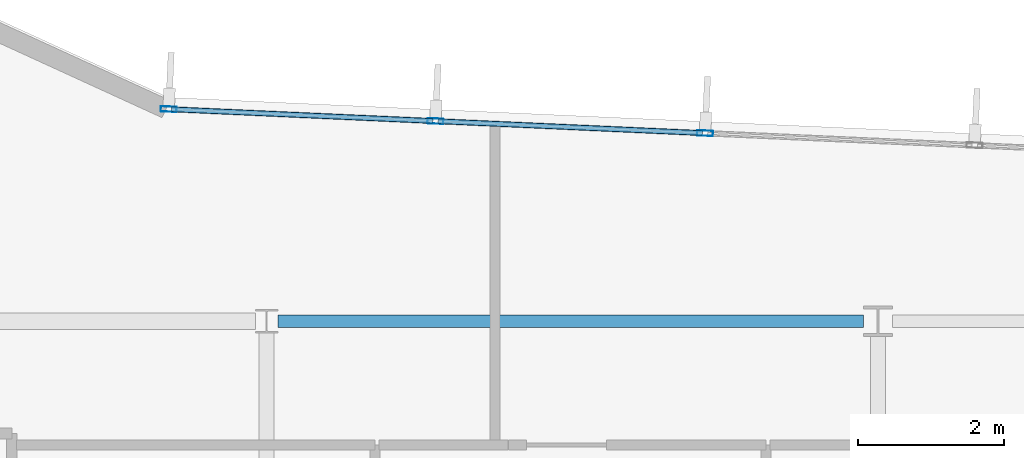
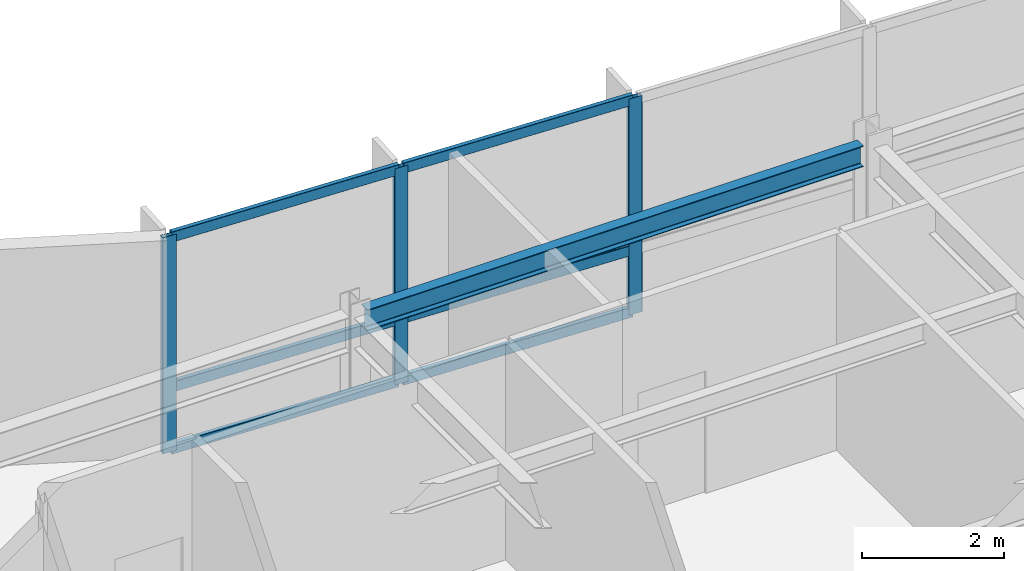
# One storey, part 4 of 17: 9 members, 1 beam, 1 element without a shape of its own.
"""IFC4 building model written with IfcOpenShell, lengths in metres."""

import ifcopenshell
import ifcopenshell.guid

model = None  # the IFC model being written
_history = None  # IfcOwnerHistory: only IFC2X3 demands one
_inside = {}  # id of a spatial element -> (the spatial element, [elements in it])
_under = {}  # id of a project, library or spatial element -> (it, [spatial elements below it])
_declared = {}  # id of a project -> (the project, [libraries it declares])
_typed = {}  # id of a type object -> (the type object, [elements of that type])
_made_of = {}  # id of a material, layer set ... -> (it, [elements and type objects made of it])


def new_model(schema):
    """Start an empty IFC model of exactly this schema.

    Asked for "IFC4X3", IfcOpenShell would pick the latest addendum, in which some entities
    have other attributes; the version numbers below select the first issue.
    IFC2X3 requires an IfcOwnerHistory on every rooted entity: one is made here for all.
    """
    global model, _history
    if schema == "IFC4X3":
        model = ifcopenshell.file(schema_version=(4, 3, 0, 0))
    else:
        model = ifcopenshell.file(schema=schema)
    _inside.clear()
    _under.clear()
    _declared.clear()
    _typed.clear()
    _made_of.clear()
    _history = None
    if model.schema == "IFC2X3":
        org = make("IfcOrganization", Name="unknown")
        user = make(
            "IfcPersonAndOrganization",
            ThePerson=make("IfcPerson", FamilyName="unknown"),
            TheOrganization=org,
        )
        app = make(
            "IfcApplication",
            ApplicationDeveloper=org,
            Version="unknown",
            ApplicationFullName="unknown",
            ApplicationIdentifier="unknown",
        )
        _history = make(
            "IfcOwnerHistory",
            OwningUser=user,
            OwningApplication=app,
            ChangeAction="ADDED",
            CreationDate=0,
        )
    return model


def make(cls, **values):
    """One entity of the class cls with the attributes given. An attribute that is None is left unset."""
    return model.create_entity(
        cls, **{name: value for name, value in values.items() if value is not None}
    )


def rooted(cls, **values):
    """An entity with a GlobalId (a new one), such as an element, a storey or a relation."""
    return make(cls, GlobalId=ifcopenshell.guid.new(), OwnerHistory=_history, **values)


def si_unit(unit_type, name, prefix=None):
    """IfcSIUnit, for example si_unit("LENGTHUNIT", "METRE", prefix="MILLI")."""
    return make("IfcSIUnit", UnitType=unit_type, Prefix=prefix, Name=name)


def assignment(units):
    """IfcUnitAssignment: the units of a project."""
    return None if units is None else make("IfcUnitAssignment", Units=units)


def point(xyz):
    """IfcCartesianPoint."""
    return None if xyz is None else make("IfcCartesianPoint", Coordinates=xyz)


def direction(xyz):
    """IfcDirection."""
    return None if xyz is None else make("IfcDirection", DirectionRatios=xyz)


def frame(location, z_axis=None, x_axis=None):
    """IfcAxis2Placement3D, a coordinate frame: its origin and axes. An axis left out is left unset."""
    return make(
        "IfcAxis2Placement3D",
        Location=point(location),
        Axis=direction(z_axis),
        RefDirection=direction(x_axis),
    )


def frame_2d(location, x_axis=None):
    """IfcAxis2Placement2D, a coordinate frame in the plane: its origin and x axis."""
    return make(
        "IfcAxis2Placement2D", Location=point(location), RefDirection=direction(x_axis)
    )


def origin():
    """The frame at (0, 0, 0) with its axes left unset."""
    return frame((0.0, 0.0, 0.0))


def origin_2d():
    """The frame at (0, 0) in the plane with its x axis left unset."""
    return frame_2d((0.0, 0.0))


def place(relative_to, where):
    """IfcLocalPlacement: puts the frame where relative to a parent placement (None: the world)."""
    return make(
        "IfcLocalPlacement", PlacementRelTo=relative_to, RelativePlacement=where
    )


def context(
    kind, dimensions, precision=None, world=None, true_north=None, identifier=None
):
    """IfcGeometricRepresentationContext, for example the 3D "Model" context."""
    return make(
        "IfcGeometricRepresentationContext",
        ContextIdentifier=identifier,
        ContextType=kind,
        CoordinateSpaceDimension=dimensions,
        Precision=precision,
        WorldCoordinateSystem=world,
        TrueNorth=true_north,
    )


def subcontext(parent, identifier, kind, view, scale=None):
    """IfcGeometricRepresentationSubContext, for example "Body" below "Model"."""
    return make(
        "IfcGeometricRepresentationSubContext",
        ContextIdentifier=identifier,
        ContextType=kind,
        ParentContext=parent,
        TargetScale=scale,
        TargetView=view,
    )


def project(units=None, contexts=None):
    """IfcProject with its units and contexts."""
    return rooted(
        "IfcProject",
        Name="project",
        RepresentationContexts=contexts,
        UnitsInContext=assignment(units),
    )


def spatial(cls, under=None, at=None, **own):
    """A site, building, storey or space (cls), placed at a placement, below another one or the project."""
    s = rooted(cls, ObjectPlacement=at, **own)
    if under is not None:
        _under.setdefault(under.id(), (under, []))[1].append(s)
    return s


def profile(cls, at=None, kind="AREA", **sizes):
    """A parametric profile (cls). Its sizes go by their IFC names, for example OverallWidth=200.0."""
    return make(cls, ProfileType=kind, Position=at, **sizes)


def hollow_rectangle(**sizes):
    """IfcRectangleHollowProfileDef."""
    return profile("IfcRectangleHollowProfileDef", **sizes)


def i_section(**sizes):
    """IfcIShapeProfileDef."""
    return profile("IfcIShapeProfileDef", **sizes)


def extrude(swept, where, along, depth):
    """IfcExtrudedAreaSolid: the profile swept, set in the frame where, extruded along a direction by depth."""
    return make(
        "IfcExtrudedAreaSolid",
        SweptArea=swept,
        Position=where,
        ExtrudedDirection=direction(along),
        Depth=depth,
    )


def shape(context_of_items, identifier, shape_type, items):
    """IfcShapeRepresentation: the items that make up one representation, for example the "Body"."""
    return make(
        "IfcShapeRepresentation",
        ContextOfItems=context_of_items,
        RepresentationIdentifier=identifier,
        RepresentationType=shape_type,
        Items=items,
    )


def material(Name=None, Category=None):
    """IfcMaterial."""
    return make("IfcMaterial", Name=Name, Category=Category)


def layer(
    of_material, thickness, ventilated=None, Name=None, Category=None, Priority=None
):
    """IfcMaterialLayer: one layer of a wall or slab, of a material (None: an air gap)."""
    return make(
        "IfcMaterialLayer",
        Material=of_material,
        LayerThickness=thickness,
        IsVentilated=ventilated,
        Name=Name,
        Category=Category,
        Priority=Priority,
    )


def layer_set(layers, Name=None):
    """IfcMaterialLayerSet."""
    return make("IfcMaterialLayerSet", MaterialLayers=layers, LayerSetName=Name)


def material_profile(
    of_material, cross_section, Name=None, Category=None, Priority=None
):
    """IfcMaterialProfile: a cross section and its material."""
    return make(
        "IfcMaterialProfile",
        Name=Name,
        Material=of_material,
        Profile=cross_section,
        Priority=Priority,
        Category=Category,
    )


def profile_set(profiles, Name=None, composite=None):
    """IfcMaterialProfileSet."""
    return make(
        "IfcMaterialProfileSet",
        Name=Name,
        MaterialProfiles=profiles,
        CompositeProfile=composite,
    )


def made_of(thing, what):
    """Note that an element or type object is made of a material, layer set ...; save() writes the relation."""
    if what is not None:
        _made_of.setdefault(what.id(), (what, []))[1].append(thing)
    return thing


def type_object(cls, material=None, **own):
    """A type object (cls), such as IfcWallType, which elements share."""
    return made_of(rooted(cls, **own), material)


def element(
    cls,
    number,
    at=None,
    inside=None,
    cuts=None,
    type_object=None,
    material=None,
    context=None,
    identifier="Body",
    shape_type=None,
    held_by="IfcProductDefinitionShape",
    body=None,
    shapes=None,
    **own,
):
    """One element of the class cls, such as IfcWall. Its Tag is "e" and its number.

    at: its placement. inside: the storey or other place that contains it. cuts: it is an
    opening in that element (IfcRelVoidsElement). A single representation is given by context,
    identifier, shape_type and body (its items); several are given by shapes. held_by: the class
    of the entity that holds the representations. save() writes the other relations.
    """
    e = rooted(cls, Tag="e%d" % number, ObjectPlacement=at, **own)
    if body is not None:
        shapes = [shape(context, identifier, shape_type, body)]
    if shapes is not None:
        e.Representation = make(held_by, Representations=shapes)
    if inside is not None:
        _inside.setdefault(inside.id(), (inside, []))[1].append(e)
    if cuts is not None:
        rooted(
            "IfcRelVoidsElement", RelatingBuildingElement=cuts, RelatedOpeningElement=e
        )
    if type_object is not None:
        _typed.setdefault(type_object.id(), (type_object, []))[1].append(e)
    return made_of(e, material)


def aggregate(whole, parts):
    """IfcRelAggregates: a whole, such as a stair, and the parts it consists of."""
    return rooted("IfcRelAggregates", RelatingObject=whole, RelatedObjects=parts)


def save(model, path):
    """Write the relations noted so far, then the file.

    IfcRelAggregates (storeys below a building ...), IfcRelContainedInSpatialStructure (elements
    in a storey), IfcRelDefinesByType, IfcRelAssociatesMaterial and IfcRelDeclares: one each for
    every whole, place, type object, material and project.
    """
    for whole, parts in _under.values():
        aggregate(whole, parts)
    for where, things in _inside.values():
        rooted(
            "IfcRelContainedInSpatialStructure",
            RelatedElements=things,
            RelatingStructure=where,
        )
    for kind, things in _typed.values():
        rooted("IfcRelDefinesByType", RelatedObjects=things, RelatingType=kind)
    for what, things in _made_of.values():
        rooted("IfcRelAssociatesMaterial", RelatedObjects=things, RelatingMaterial=what)
    for by, libraries in _declared.values():
        rooted("IfcRelDeclares", RelatingContext=by, RelatedDefinitions=libraries)
    model.write(path)


model = new_model("IFC4")

# Units and contexts
model_context = context("Model", 3, precision=1e-05, world=origin(), true_north=direction((0.0, 1.0)))
body_context = subcontext(model_context, "Body", "Model", "MODEL_VIEW")
ifc_project = project(units=[si_unit("LENGTHUNIT", "METRE"), si_unit("AREAUNIT", "SQUARE_METRE"), si_unit("VOLUMEUNIT", "CUBIC_METRE"), si_unit("PLANEANGLEUNIT", "RADIAN"), si_unit("MASSUNIT", "GRAM", prefix="KILO")], contexts=[model_context])

# Site, building, storey
site_placement = place(None, origin())
site = spatial("IfcSite", under=ifc_project, at=site_placement, CompositionType="ELEMENT")
building_placement = place(site_placement, origin())
building = spatial("IfcBuilding", under=site, at=building_placement, Name="Varnakote Quay Hospital", CompositionType="ELEMENT")
storey_placement = place(building_placement, frame((0.0, 0.0, 111.25)))
storey = spatial("IfcBuildingStorey", under=building, at=storey_placement, Name="L27", CompositionType="ELEMENT", Elevation=111.25)

# Curtain wall, members
ifc_material_1 = material(Name="Anodised aluminium 6063-T6 Bronze", Category="aluminium")
ifc_layer = layer(ifc_material_1, 0.205078125)
ifc_layer_set = layer_set([ifc_layer], Name="Anodised aluminium 6063-T6 Bronze")
curtain_wall_type = type_object("IfcCurtainWallType", Name="CW-SYS-3", PredefinedType="NOTDEFINED", material=ifc_layer_set)
curtain_wall_placement = place(storey_placement, origin())
curtain_wall = element("IfcCurtainWall", 1, at=curtain_wall_placement, inside=storey, type_object=curtain_wall_type, Name="L27 Unitised Bronze Curtain Wall 2", PredefinedType="NOTDEFINED")
ifc_material_2 = material(Name="Anodised aluminium 6063-T6 Bronze", Category="aluminium")
ifc_material_profile_1 = material_profile(ifc_material_2, hollow_rectangle(XDim=0.074951171875, YDim=0.219970703125, WallThickness=0.00439453125, InnerFilletRadius=0.00439453125, OuterFilletRadius=0.009033203125, at=origin_2d()), Name="CW-MULL-220x75")
ifc_profile_set_1 = profile_set([ifc_material_profile_1], Name="Anodised aluminium 6063-T6 Bronze")
member_type_1 = type_object("IfcMemberType", Name="CW-MULL-220x75", PredefinedType="MULLION", material=ifc_profile_set_1)
member_1_placement = place(storey_placement, frame((31.223876953125, 31.383544921875, 0.0), z_axis=(0.0, 0.0, 1.0), x_axis=(-0.044782334659, -0.998996768014, 0.0)))
member_1 = element("IfcMember", 2, at=member_1_placement, type_object=member_type_1, Name="-3-L27-2 mullion 3", PredefinedType="MULLION", context=body_context, shape_type="SweptSolid", body=[
    extrude(hollow_rectangle(XDim=0.074951171875, YDim=0.219970703125, WallThickness=0.00439453125, InnerFilletRadius=0.00439453125, OuterFilletRadius=0.009033203125, at=origin_2d()), origin(), (0.0, 0.0, 1.0), 3.7099609375),
])
member_2_placement = place(storey_placement, frame((27.520751953125, 31.549560546875, 0.0), z_axis=(0.0, 0.0, 1.0), x_axis=(-0.044782334659, -0.998996768014, 0.0)))
member_2 = element("IfcMember", 3, at=member_2_placement, type_object=member_type_1, Name="-3-L27-2 mullion 4", PredefinedType="MULLION", context=body_context, shape_type="SweptSolid", body=[
    extrude(hollow_rectangle(XDim=0.074951171875, YDim=0.219970703125, WallThickness=0.00439453125, InnerFilletRadius=0.00439453125, OuterFilletRadius=0.009033203125, at=origin_2d()), origin(), (0.0, 0.0, 1.0), 3.7099609375),
])
member_3_placement = place(storey_placement, frame((23.855224609375, 31.7138671875, 0.0), z_axis=(0.0, 0.0, 1.0), x_axis=(-0.044782334659, -0.998996768014, 0.0)))
member_3 = element("IfcMember", 4, at=member_3_placement, type_object=member_type_1, Name="-3-L27-2 mullion 5", PredefinedType="MULLION", context=body_context, shape_type="SweptSolid", body=[
    extrude(hollow_rectangle(XDim=0.074951171875, YDim=0.219970703125, WallThickness=0.00439453125, InnerFilletRadius=0.00439453125, OuterFilletRadius=0.009033203125, at=origin_2d()), origin(), (0.0, 0.0, 1.0), 3.7099609375),
])
ifc_material_3 = material(Name="Anodised aluminium 6063-T6 Bronze", Category="aluminium")
ifc_material_profile_2 = material_profile(ifc_material_3, hollow_rectangle(XDim=0.074951171875, YDim=0.179931640625, WallThickness=0.004150390625, InnerFilletRadius=0.004150390625, OuterFilletRadius=0.00830078125, at=origin_2d()), Name="CW-TRAN-180x75")
ifc_profile_set_2 = profile_set([ifc_material_profile_2], Name="Anodised aluminium 6063-T6 Bronze")
member_type_2 = type_object("IfcMemberType", Name="CW-TRAN-180x75", PredefinedType="USERDEFINED", material=ifc_profile_set_2)
member_4_placement = place(storey_placement, frame((31.1865234375, 31.38525390625, 0.03759765625), z_axis=(-0.99899730508, 0.044770352277, 0.0), x_axis=(-0.044770352277, -0.99899730508, 0.0)))
member_4 = element("IfcMember", 5, at=member_4_placement, type_object=member_type_2, Name="-3-L27-2 transom 3.1", ObjectType="TRANSOM", PredefinedType="USERDEFINED", context=body_context, shape_type="SweptSolid", body=[
    extrude(hollow_rectangle(XDim=0.074951171875, YDim=0.179931640625, WallThickness=0.004150390625, InnerFilletRadius=0.004150390625, OuterFilletRadius=0.00830078125, at=origin_2d()), origin(), (0.0, 0.0, 1.0), 3.6318359375),
])
member_5_placement = place(storey_placement, frame((31.1865234375, 31.38525390625, 1.10009765625), z_axis=(-0.99899730508, 0.044770352277, 0.0), x_axis=(-0.044770352277, -0.99899730508, 0.0)))
member_5 = element("IfcMember", 6, at=member_5_placement, type_object=member_type_2, Name="-3-L27-2 transom 3.2", ObjectType="TRANSOM", PredefinedType="USERDEFINED", context=body_context, shape_type="SweptSolid", body=[
    extrude(hollow_rectangle(XDim=0.074951171875, YDim=0.179931640625, WallThickness=0.004150390625, InnerFilletRadius=0.004150390625, OuterFilletRadius=0.00830078125, at=origin_2d()), origin(), (0.0, 0.0, 1.0), 3.6318359375),
])
member_6_placement = place(storey_placement, frame((31.1865234375, 31.38525390625, 3.672607421875), z_axis=(-0.99899730508, 0.044770352277, 0.0), x_axis=(-0.044770352277, -0.99899730508, 0.0)))
member_6 = element("IfcMember", 7, at=member_6_placement, type_object=member_type_2, Name="-3-L27-2 transom 3.3", ObjectType="TRANSOM", PredefinedType="USERDEFINED", context=body_context, shape_type="SweptSolid", body=[
    extrude(hollow_rectangle(XDim=0.074951171875, YDim=0.179931640625, WallThickness=0.004150390625, InnerFilletRadius=0.004150390625, OuterFilletRadius=0.00830078125, at=origin_2d()), origin(), (0.0, 0.0, 1.0), 3.6318359375),
])
member_7_placement = place(storey_placement, frame((27.4833984375, 31.55126953125, 0.03759765625), z_axis=(-0.998997740237, 0.044760641203, 0.0), x_axis=(-0.044760641203, -0.998997740237, 0.0)))
member_7 = element("IfcMember", 8, at=member_7_placement, type_object=member_type_2, Name="-3-L27-2 transom 4.1", ObjectType="TRANSOM", PredefinedType="USERDEFINED", context=body_context, shape_type="SweptSolid", body=[
    extrude(hollow_rectangle(XDim=0.074951171875, YDim=0.179931640625, WallThickness=0.004150390625, InnerFilletRadius=0.004150390625, OuterFilletRadius=0.00830078125, at=origin_2d()), origin(), (0.0, 0.0, 1.0), 3.594482421875),
])
member_8_placement = place(storey_placement, frame((27.4833984375, 31.55126953125, 1.10009765625), z_axis=(-0.998997740237, 0.044760641203, 0.0), x_axis=(-0.044760641203, -0.998997740237, 0.0)))
member_8 = element("IfcMember", 9, at=member_8_placement, type_object=member_type_2, Name="-3-L27-2 transom 4.2", ObjectType="TRANSOM", PredefinedType="USERDEFINED", context=body_context, shape_type="SweptSolid", body=[
    extrude(hollow_rectangle(XDim=0.074951171875, YDim=0.179931640625, WallThickness=0.004150390625, InnerFilletRadius=0.004150390625, OuterFilletRadius=0.00830078125, at=origin_2d()), origin(), (0.0, 0.0, 1.0), 3.594482421875),
])
member_9_placement = place(storey_placement, frame((27.4833984375, 31.55126953125, 3.672607421875), z_axis=(-0.998997740237, 0.044760641203, 0.0), x_axis=(-0.044760641203, -0.998997740237, 0.0)))
member_9 = element("IfcMember", 10, at=member_9_placement, type_object=member_type_2, Name="-3-L27-2 transom 4.3", ObjectType="TRANSOM", PredefinedType="USERDEFINED", context=body_context, shape_type="SweptSolid", body=[
    extrude(hollow_rectangle(XDim=0.074951171875, YDim=0.179931640625, WallThickness=0.004150390625, InnerFilletRadius=0.004150390625, OuterFilletRadius=0.00830078125, at=origin_2d()), origin(), (0.0, 0.0, 1.0), 3.594482421875),
])
aggregate(curtain_wall, [member_1, member_2, member_3, member_4, member_5, member_6, member_7, member_8, member_9])

# Beam
ifc_material_4 = material(Name="Structural steel AS/NZS 3679.1 Grade 350 L0 (fy 340 MPa)", Category="steel")
ifc_material_profile_3 = material_profile(ifc_material_4, i_section(OverallWidth=0.172119140625, OverallDepth=0.35888671875, WebThickness=0.008056640625, FlangeThickness=0.012939453125, FilletRadius=0.011474609375, at=origin_2d()), Name="360UB56.7")
ifc_profile_set_3 = profile_set([ifc_material_profile_3], Name="Structural steel AS/NZS 3679.1 Grade 350 L0 (fy 340 MPa)")
beam_type = type_object("IfcBeamType", Name="SPN-STL-360UB56-7", PredefinedType="SPANDREL", material=ifc_profile_set_3)
beam_placement = place(storey_placement, frame((25.3544921875, 28.800048828125, 3.530517578125), z_axis=(1.0, 0.0, 0.0), x_axis=(0.0, 1.0, 0.0)))
element("IfcBeam", 11, at=beam_placement, inside=storey, type_object=beam_type, Name="L27 Perimeter Spandrel Beam", PredefinedType="SPANDREL", context=body_context, shape_type="SweptSolid", body=[
    extrude(i_section(OverallWidth=0.172119140625, OverallDepth=0.35888671875, WebThickness=0.008056640625, FlangeThickness=0.012939453125, FilletRadius=0.011474609375, at=origin_2d()), origin(), (0.0, 0.0, 1.0), 8.04541015625),
])

save(model, "model.ifc")
